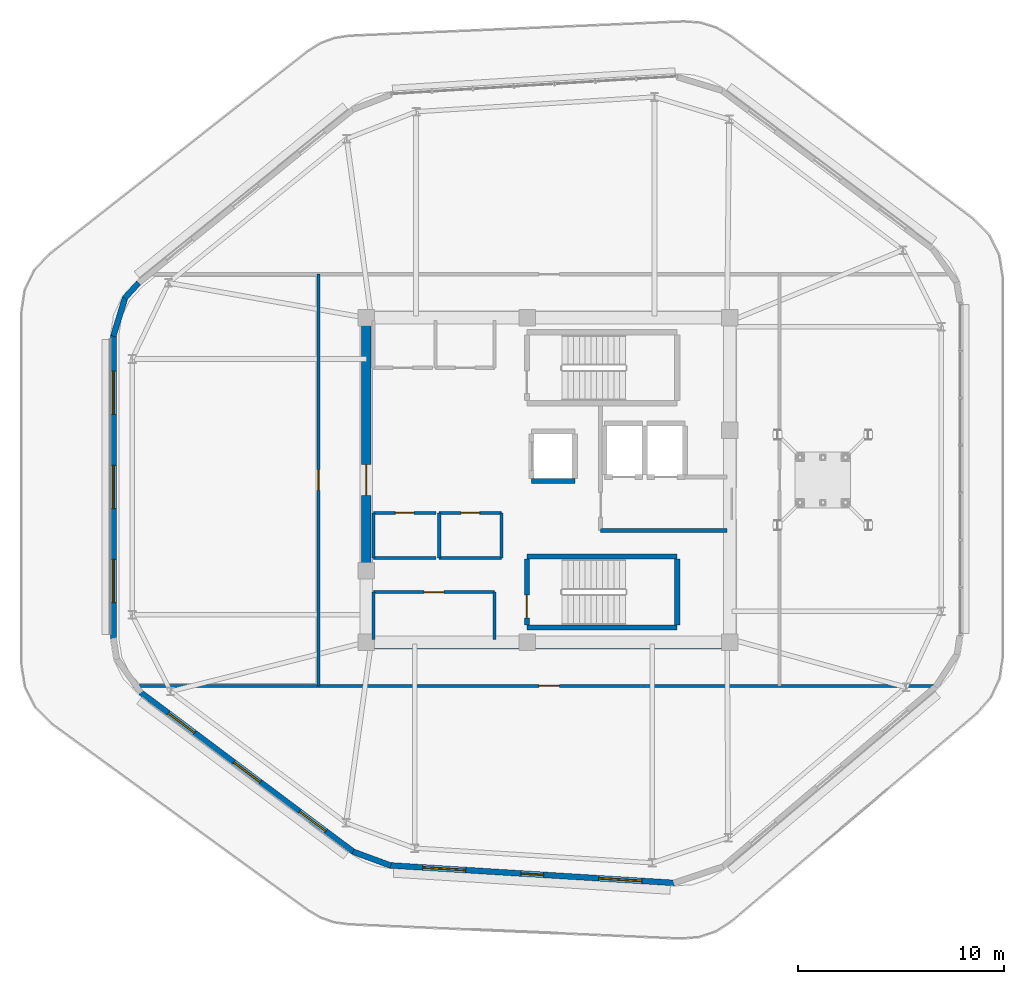
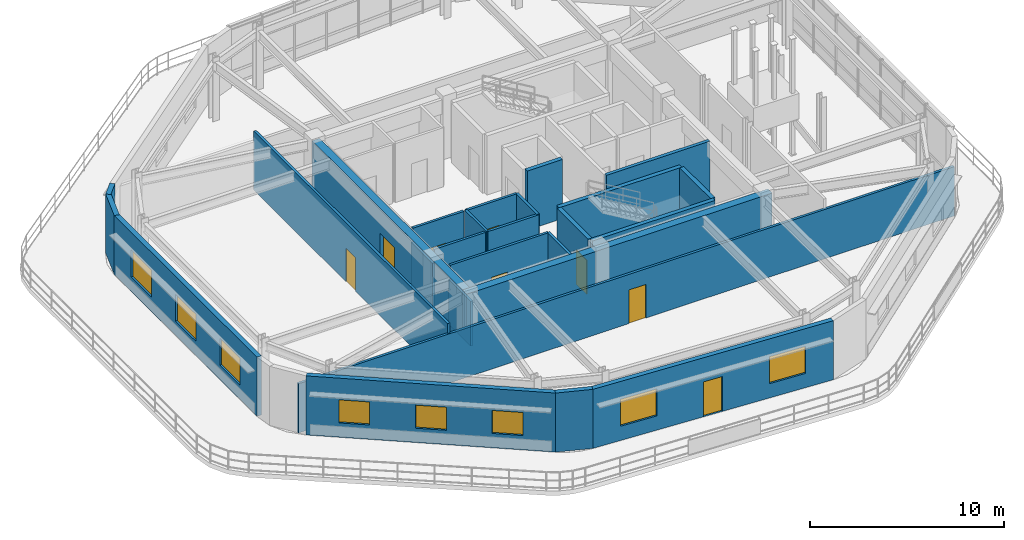
# One storey, part 8 of 13: 26 walls, 8 doors, 8 windows, 16 openings.
"""IFC4 building model written with IfcOpenShell, lengths in metres."""

from ifc_helpers import new_model, si_unit, direction, frame, frame_2d, origin, place, context, subcontext, project, spatial, rectangle, extrude, material, layer, layer_set, type_object, element, fill, save


model = new_model("IFC4")

# Units and contexts
model_context = context("Model", 3, precision=1e-05, world=origin(), true_north=direction((0.0, 1.0)))
body_context = subcontext(model_context, "Body", "Model", "MODEL_VIEW")
ifc_project = project(units=[si_unit("LENGTHUNIT", "METRE"), si_unit("AREAUNIT", "SQUARE_METRE"), si_unit("VOLUMEUNIT", "CUBIC_METRE"), si_unit("PLANEANGLEUNIT", "RADIAN"), si_unit("MASSUNIT", "GRAM", prefix="KILO")], contexts=[model_context])

# Site, building, storey
site_placement = place(None, origin())
site = spatial("IfcSite", under=ifc_project, at=site_placement, CompositionType="ELEMENT")
building_placement = place(site_placement, origin())
building = spatial("IfcBuilding", under=site, at=building_placement, Name="Zulverin Broadcast Headquarters", CompositionType="ELEMENT")
storey_placement = place(building_placement, frame((0.0, 0.0, 313.39990234375)))
storey = spatial("IfcBuildingStorey", under=building, at=storey_placement, Name="C1", CompositionType="ELEMENT", Elevation=313.39990234375)

# Wall
ifc_material_1 = material(Name="Concrete C50/60", Category="concrete")
ifc_layer_1 = layer(ifc_material_1, 0.449951171875, Name="Concrete C50/60", Category="concrete")
ifc_layer_set_1 = layer_set([ifc_layer_1], Name="Concrete C50/60")
wall_type_1 = type_object("IfcWallType", Name="WL-CORE-450", PredefinedType="SHEAR", material=ifc_layer_set_1)
wall_1_placement = place(storey_placement, frame((30.39990234375, 17.22509765625, 0.0), z_axis=(0.0, 0.0, 1.0), x_axis=(1.0, 0.0, 0.0)))
element("IfcWall", 1, at=wall_1_placement, inside=storey, type_object=wall_type_1, Name="C1 Core South Shear Wall", PredefinedType="SHEAR", context=body_context, shape_type="SweptSolid", body=[
    extrude(rectangle(XDim=18.2001953125, YDim=0.449951171875, at=frame_2d((9.10009765625, 0.0))), origin(), (0.0, 0.0, 1.0), 3.72021484375),
])

# Wall, opening, door
wall_2_placement = place(storey_placement, frame((30.625, 17.449951171875, 0.0), z_axis=(0.0, 0.0, 1.0), x_axis=(0.0, 1.0, 0.0)))
wall_2 = element("IfcWall", 2, at=wall_2_placement, inside=storey, type_object=wall_type_1, Name="C1 Core West Shear Wall", PredefinedType="SHEAR", context=body_context, shape_type="SweptSolid", body=[
    extrude(rectangle(XDim=15.5, YDim=0.449951171875, at=frame_2d((7.75, 0.0))), origin(), (0.0, 0.0, 1.0), 3.72021484375),
])
opening_1_placement = place(wall_2_placement, frame((7.0, 0.0, 0.0)))
opening_1 = element("IfcOpeningElement", 3, at=opening_1_placement, cuts=wall_2, Name="Opening D-C1-CW1", PredefinedType="OPENING", context=body_context, shape_type="SweptSolid", body=[
    extrude(rectangle(XDim=1.5, YDim=2.14990234375, at=frame_2d((0.75, 1.074951171875))), frame((0.0, 0.23486328125, 0.0), z_axis=(0.0, -1.0, 0.0), x_axis=(1.0, 0.0, 0.0)), (0.0, 0.0, 1.0), 0.469970703125),
])
ifc_material_2 = material(Name="Fire-rated glazed steel frame", Category="steel")
door_type_1 = type_object("IfcDoorType", Name="DR-COR-1500", OperationType="DOUBLE_DOOR_SINGLE_SWING", PredefinedType="DOOR", material=ifc_material_2)
door_1_placement = place(opening_1_placement, origin())
door_1 = element("IfcDoor", 4, at=door_1_placement, inside=storey, type_object=door_type_1, Name="C1 Central Lift Lobby West Portal Door", OperationType="DOUBLE_DOOR_SINGLE_SWING", OverallHeight=2.14990234375, OverallWidth=1.5, PredefinedType="DOOR", context=body_context, shape_type="SweptSolid", body=[
    extrude(rectangle(XDim=1.5, YDim=2.14990234375, at=frame_2d((0.75, 1.074951171875))), frame((0.0, 0.02490234375, 0.0), z_axis=(0.0, -1.0, 0.0), x_axis=(1.0, 0.0, 0.0)), (0.0, 0.0, 1.0), 0.050048828125),
])
fill(opening_1, door_1)

# Wall, openings, door, windows
ifc_material_3 = material(Name="Insulated pale-metal clad concrete spandrel C40/50", Category="concrete")
ifc_layer_2 = layer(ifc_material_3, 0.280029296875, Name="Insulated pale-metal clad concrete spandrel C40/50", Category="concrete")
ifc_layer_set_2 = layer_set([ifc_layer_2], Name="Insulated pale-metal clad concrete spandrel C40/50")
wall_type_2 = type_object("IfcWallType", Name="WL-EXT-280", PredefinedType="STANDARD", material=ifc_layer_set_2)
wall_3_placement = place(storey_placement, frame((31.76806640625, 6.47705078125, 0.0), z_axis=(0.0, 0.0, 1.0), x_axis=(0.998103304461, -0.061561299728, 0.0)))
wall_3 = element("IfcWall", 5, at=wall_3_placement, inside=storey, type_object=wall_type_2, Name="C1 Pale-Metal Clad Spandrel Wall 1", PredefinedType="STANDARD", context=body_context, shape_type="SweptSolid", body=[
    extrude(rectangle(XDim=13.860595703125, YDim=0.280029296875, at=frame_2d((6.93017578125, 0.0))), origin(), (0.0, 0.0, 1.0), 3.72021484375),
])
opening_2_placement = place(wall_3_placement, frame((6.38037109375, 0.0, 0.0)))
opening_2 = element("IfcOpeningElement", 6, at=opening_2_placement, cuts=wall_3, Name="Opening D-C1-TR1", PredefinedType="OPENING", context=body_context, shape_type="SweptSolid", body=[
    extrude(rectangle(XDim=1.10009765625, YDim=2.199951171875, at=frame_2d((0.550048828125, 1.10009765625))), frame((0.0, 0.14990234375, 0.0), z_axis=(0.0, -1.0, 0.0), x_axis=(1.0, 0.0, 0.0)), (0.0, 0.0, 1.0), 0.300048828125),
])
opening_3_placement = place(wall_3_placement, frame((1.593505859375, 0.0, 0.89990234375)))
opening_3 = element("IfcOpeningElement", 7, at=opening_3_placement, cuts=wall_3, Name="Opening W-C1-E11", PredefinedType="OPENING", context=body_context, shape_type="SweptSolid", body=[
    extrude(rectangle(XDim=2.10009765625, YDim=1.699951171875, at=frame_2d((1.050048828125, 0.85009765625))), frame((0.0, 0.14990234375, 0.0), z_axis=(0.0, -1.0, 0.0), x_axis=(1.0, 0.0, 0.0)), (0.0, 0.0, 1.0), 0.300048828125),
])
opening_4_placement = place(wall_3_placement, frame((10.1669921875, 0.0, 0.89990234375)))
opening_4 = element("IfcOpeningElement", 8, at=opening_4_placement, cuts=wall_3, Name="Opening W-C1-E12", PredefinedType="OPENING", context=body_context, shape_type="SweptSolid", body=[
    extrude(rectangle(XDim=2.10009765625, YDim=1.699951171875, at=frame_2d((1.050048828125, 0.85009765625))), frame((0.0, 0.14990234375, 0.0), z_axis=(0.0, -1.0, 0.0), x_axis=(1.0, 0.0, 0.0)), (0.0, 0.0, 1.0), 0.300048828125),
])
ifc_material_4 = material(Name="Thermally broken aluminium glazed", Category="aluminium")
door_type_2 = type_object("IfcDoorType", Name="DR-TERR-1100", OperationType="SINGLE_SWING_RIGHT", PredefinedType="DOOR", material=ifc_material_4)
door_2_placement = place(opening_2_placement, origin())
door_2 = element("IfcDoor", 9, at=door_2_placement, inside=storey, type_object=door_type_2, Name="C1 Planted Terrace Glazed Access Door 1", OperationType="SINGLE_SWING_RIGHT", OverallHeight=2.199951171875, OverallWidth=1.10009765625, PredefinedType="DOOR", context=body_context, shape_type="SweptSolid", body=[
    extrude(rectangle(XDim=1.10009765625, YDim=2.199951171875, at=frame_2d((0.550048828125, 1.10009765625))), frame((0.0, 0.02490234375, 0.0), z_axis=(0.0, -1.0, 0.0), x_axis=(1.0, 0.0, 0.0)), (0.0, 0.0, 1.0), 0.050048828125),
])
fill(opening_2, door_2)
ifc_material_5 = material(Name="Pale anodized aluminium frame with solar-control low-E double glazing", Category="aluminium")
window_type_1 = type_object("IfcWindowType", Name="WIN-CRN-2100", PartitioningType="SINGLE_PANEL", PredefinedType="WINDOW", material=ifc_material_5)
window_1_placement = place(opening_3_placement, origin())
window_1 = element("IfcWindow", 10, at=window_1_placement, inside=storey, type_object=window_type_1, Name="C1 Ribbon Glazing Window 1 1", OverallHeight=1.699951171875, OverallWidth=2.10009765625, PartitioningType="SINGLE_PANEL", PredefinedType="WINDOW", context=body_context, shape_type="SweptSolid", body=[
    extrude(rectangle(XDim=2.10009765625, YDim=1.699951171875, at=frame_2d((1.050048828125, 0.85009765625))), frame((0.0, 0.030029296875, 0.0), z_axis=(0.0, -1.0, 0.0), x_axis=(1.0, 0.0, 0.0)), (0.0, 0.0, 1.0), 0.06005859375),
])
fill(opening_3, window_1)
window_2_placement = place(opening_4_placement, origin())
window_2 = element("IfcWindow", 11, at=window_2_placement, inside=storey, type_object=window_type_1, Name="C1 Ribbon Glazing Window 1 2", OverallHeight=1.699951171875, OverallWidth=2.10009765625, PartitioningType="SINGLE_PANEL", PredefinedType="WINDOW", context=body_context, shape_type="SweptSolid", body=[
    extrude(rectangle(XDim=2.10009765625, YDim=1.699951171875, at=frame_2d((1.050048828125, 0.85009765625))), frame((0.0, 0.030029296875, 0.0), z_axis=(0.0, -1.0, 0.0), x_axis=(1.0, 0.0, 0.0)), (0.0, 0.0, 1.0), 0.06005859375),
])
fill(opening_4, window_2)

# Wall, openings, windows
wall_4_placement = place(storey_placement, frame((18.340087890625, 32.2255859375, 0.0), z_axis=(0.0, 0.0, 1.0), x_axis=(0.0, -1.0, 0.0)))
wall_4 = element("IfcWall", 12, at=wall_4_placement, inside=storey, type_object=wall_type_2, Name="C1 Pale-Metal Clad Spandrel Wall 7", PredefinedType="STANDARD", context=body_context, shape_type="SweptSolid", body=[
    extrude(rectangle(XDim=14.724609375, YDim=0.280029296875, at=frame_2d((7.3623046875, 0.0))), origin(), (0.0, 0.0, 1.0), 3.72021484375),
])
opening_5_placement = place(wall_4_placement, frame((1.737548828125, 0.0, 0.89990234375)))
opening_5 = element("IfcOpeningElement", 13, at=opening_5_placement, cuts=wall_4, Name="Opening W-C1-E71", PredefinedType="OPENING", context=body_context, shape_type="SweptSolid", body=[
    extrude(rectangle(XDim=2.10009765625, YDim=1.699951171875, at=frame_2d((1.050048828125, 0.85009765625))), frame((0.0, 0.14990234375, 0.0), z_axis=(0.0, -1.0, 0.0), x_axis=(1.0, 0.0, 0.0)), (0.0, 0.0, 1.0), 0.300048828125),
])
opening_6_placement = place(wall_4_placement, frame((6.3125, 0.0, 0.89990234375)))
opening_6 = element("IfcOpeningElement", 14, at=opening_6_placement, cuts=wall_4, Name="Opening W-C1-E72", PredefinedType="OPENING", context=body_context, shape_type="SweptSolid", body=[
    extrude(rectangle(XDim=2.10009765625, YDim=1.699951171875, at=frame_2d((1.050048828125, 0.85009765625))), frame((0.0, 0.14990234375, 0.0), z_axis=(0.0, -1.0, 0.0), x_axis=(1.0, 0.0, 0.0)), (0.0, 0.0, 1.0), 0.300048828125),
])
opening_7_placement = place(wall_4_placement, frame((10.88720703125, 0.0, 0.89990234375)))
opening_7 = element("IfcOpeningElement", 15, at=opening_7_placement, cuts=wall_4, Name="Opening W-C1-E73", PredefinedType="OPENING", context=body_context, shape_type="SweptSolid", body=[
    extrude(rectangle(XDim=2.10009765625, YDim=1.699951171875, at=frame_2d((1.050048828125, 0.85009765625))), frame((0.0, 0.14990234375, 0.0), z_axis=(0.0, -1.0, 0.0), x_axis=(1.0, 0.0, 0.0)), (0.0, 0.0, 1.0), 0.300048828125),
])
window_3_placement = place(opening_5_placement, origin())
window_3 = element("IfcWindow", 16, at=window_3_placement, inside=storey, type_object=window_type_1, Name="C1 Ribbon Glazing Window 7 1", OverallHeight=1.699951171875, OverallWidth=2.10009765625, PartitioningType="SINGLE_PANEL", PredefinedType="WINDOW", context=body_context, shape_type="SweptSolid", body=[
    extrude(rectangle(XDim=2.10009765625, YDim=1.699951171875, at=frame_2d((1.050048828125, 0.85009765625))), frame((0.0, 0.030029296875, 0.0), z_axis=(0.0, -1.0, 0.0), x_axis=(1.0, 0.0, 0.0)), (0.0, 0.0, 1.0), 0.06005859375),
])
fill(opening_5, window_3)
window_4_placement = place(opening_6_placement, origin())
window_4 = element("IfcWindow", 17, at=window_4_placement, inside=storey, type_object=window_type_1, Name="C1 Ribbon Glazing Window 7 2", OverallHeight=1.699951171875, OverallWidth=2.10009765625, PartitioningType="SINGLE_PANEL", PredefinedType="WINDOW", context=body_context, shape_type="SweptSolid", body=[
    extrude(rectangle(XDim=2.10009765625, YDim=1.699951171875, at=frame_2d((1.050048828125, 0.85009765625))), frame((0.0, 0.030029296875, 0.0), z_axis=(0.0, -1.0, 0.0), x_axis=(1.0, 0.0, 0.0)), (0.0, 0.0, 1.0), 0.06005859375),
])
fill(opening_6, window_4)
window_5_placement = place(opening_7_placement, origin())
window_5 = element("IfcWindow", 18, at=window_5_placement, inside=storey, type_object=window_type_1, Name="C1 Ribbon Glazing Window 7 3", OverallHeight=1.699951171875, OverallWidth=2.10009765625, PartitioningType="SINGLE_PANEL", PredefinedType="WINDOW", context=body_context, shape_type="SweptSolid", body=[
    extrude(rectangle(XDim=2.10009765625, YDim=1.699951171875, at=frame_2d((1.050048828125, 0.85009765625))), frame((0.0, 0.030029296875, 0.0), z_axis=(0.0, -1.0, 0.0), x_axis=(1.0, 0.0, 0.0)), (0.0, 0.0, 1.0), 0.06005859375),
])
fill(opening_7, window_5)

wall_5_placement = place(storey_placement, frame((19.64501953125, 14.89208984375, 0.0), z_axis=(0.0, 0.0, 1.0), x_axis=(0.800246388275, -0.599671341697, 0.0)))
wall_5 = element("IfcWall", 19, at=wall_5_placement, inside=storey, type_object=wall_type_2, Name="C1 Pale-Metal Clad Spandrel Wall 8", PredefinedType="STANDARD", context=body_context, shape_type="SweptSolid", body=[
    extrude(rectangle(XDim=12.95703125, YDim=0.280029296875, at=frame_2d((6.478515625, 0.0))), origin(), (0.0, 0.0, 1.0), 3.72021484375),
])
opening_8_placement = place(wall_5_placement, frame((1.69287109375, 0.0, 0.89990234375)))
opening_8 = element("IfcOpeningElement", 20, at=opening_8_placement, cuts=wall_5, Name="Opening W-C1-E81", PredefinedType="OPENING", context=body_context, shape_type="SweptSolid", body=[
    extrude(rectangle(XDim=1.60009765625, YDim=1.449951171875, at=frame_2d((0.800048828125, 0.72509765625))), frame((0.0, 0.14990234375, 0.0), z_axis=(0.0, -1.0, 0.0), x_axis=(1.0, 0.0, 0.0)), (0.0, 0.0, 1.0), 0.300048828125),
])
opening_9_placement = place(wall_5_placement, frame((5.678466796875, 0.0, 0.89990234375)))
opening_9 = element("IfcOpeningElement", 21, at=opening_9_placement, cuts=wall_5, Name="Opening W-C1-E82", PredefinedType="OPENING", context=body_context, shape_type="SweptSolid", body=[
    extrude(rectangle(XDim=1.60009765625, YDim=1.449951171875, at=frame_2d((0.800048828125, 0.72509765625))), frame((0.0, 0.14990234375, 0.0), z_axis=(0.0, -1.0, 0.0), x_axis=(1.0, 0.0, 0.0)), (0.0, 0.0, 1.0), 0.300048828125),
])
opening_10_placement = place(wall_5_placement, frame((9.664306640625, 0.0, 0.89990234375)))
opening_10 = element("IfcOpeningElement", 22, at=opening_10_placement, cuts=wall_5, Name="Opening W-C1-E83", PredefinedType="OPENING", context=body_context, shape_type="SweptSolid", body=[
    extrude(rectangle(XDim=1.60009765625, YDim=1.449951171875, at=frame_2d((0.800048828125, 0.72509765625))), frame((0.0, 0.14990234375, 0.0), z_axis=(0.0, -1.0, 0.0), x_axis=(1.0, 0.0, 0.0)), (0.0, 0.0, 1.0), 0.300048828125),
])
window_type_2 = type_object("IfcWindowType", Name="WIN-CRN-1600", PartitioningType="SINGLE_PANEL", PredefinedType="WINDOW", material=ifc_material_5)
window_6_placement = place(opening_8_placement, origin())
window_6 = element("IfcWindow", 23, at=window_6_placement, inside=storey, type_object=window_type_2, Name="C1 Ribbon Glazing Window 8 1", OverallHeight=1.449951171875, OverallWidth=1.60009765625, PartitioningType="SINGLE_PANEL", PredefinedType="WINDOW", context=body_context, shape_type="SweptSolid", body=[
    extrude(rectangle(XDim=1.60009765625, YDim=1.449951171875, at=frame_2d((0.800048828125, 0.72509765625))), frame((0.0, 0.030029296875, 0.0), z_axis=(0.0, -1.0, 0.0), x_axis=(1.0, 0.0, 0.0)), (0.0, 0.0, 1.0), 0.06005859375),
])
fill(opening_8, window_6)
window_7_placement = place(opening_9_placement, origin())
window_7 = element("IfcWindow", 24, at=window_7_placement, inside=storey, type_object=window_type_2, Name="C1 Ribbon Glazing Window 8 2", OverallHeight=1.449951171875, OverallWidth=1.60009765625, PartitioningType="SINGLE_PANEL", PredefinedType="WINDOW", context=body_context, shape_type="SweptSolid", body=[
    extrude(rectangle(XDim=1.60009765625, YDim=1.449951171875, at=frame_2d((0.800048828125, 0.72509765625))), frame((0.0, 0.030029296875, 0.0), z_axis=(0.0, -1.0, 0.0), x_axis=(1.0, 0.0, 0.0)), (0.0, 0.0, 1.0), 0.06005859375),
])
fill(opening_9, window_7)
window_8_placement = place(opening_10_placement, origin())
window_8 = element("IfcWindow", 25, at=window_8_placement, inside=storey, type_object=window_type_2, Name="C1 Ribbon Glazing Window 8 3", OverallHeight=1.449951171875, OverallWidth=1.60009765625, PartitioningType="SINGLE_PANEL", PredefinedType="WINDOW", context=body_context, shape_type="SweptSolid", body=[
    extrude(rectangle(XDim=1.60009765625, YDim=1.449951171875, at=frame_2d((0.800048828125, 0.72509765625))), frame((0.0, 0.030029296875, 0.0), z_axis=(0.0, -1.0, 0.0), x_axis=(1.0, 0.0, 0.0)), (0.0, 0.0, 1.0), 0.06005859375),
])
fill(opening_10, window_8)

# Walls
wall_6_placement = place(storey_placement, frame((19.564208984375, 34.77392578125, 0.0), z_axis=(0.0, 0.0, 1.0), x_axis=(-0.675845585144, -0.737043245028, 0.0)))
element("IfcWall", 26, at=wall_6_placement, inside=storey, type_object=wall_type_2, Name="C1 Wind-Shaped Corner Spandrel Wall 6-1", PredefinedType="STANDARD", context=body_context, shape_type="SweptSolid", body=[
    extrude(rectangle(XDim=1.00537109375, YDim=0.280029296875, at=frame_2d((0.502685546875, 0.0))), origin(), (0.0, 0.0, 1.0), 3.72021484375),
])
wall_7_placement = place(storey_placement, frame((18.91552734375, 34.086669921875, 0.0), z_axis=(0.0, 0.0, 1.0), x_axis=(-0.292411894515, -0.956292467787, 0.0)))
element("IfcWall", 27, at=wall_7_placement, inside=storey, type_object=wall_type_2, Name="C1 Wind-Shaped Corner Spandrel Wall 6-2", PredefinedType="STANDARD", context=body_context, shape_type="SweptSolid", body=[
    extrude(rectangle(XDim=1.98876953125, YDim=0.280029296875, at=frame_2d((0.994384765625, 0.0))), origin(), (0.0, 0.0, 1.0), 3.72021484375),
])
wall_8_placement = place(storey_placement, frame((29.978271484375, 7.1416015625, 0.0), z_axis=(0.0, 0.0, 1.0), x_axis=(0.938529029107, -0.345200320862, 0.0)))
element("IfcWall", 28, at=wall_8_placement, inside=storey, type_object=wall_type_2, Name="C1 Wind-Shaped Corner Spandrel Wall 8-1", PredefinedType="STANDARD", context=body_context, shape_type="SweptSolid", body=[
    extrude(rectangle(XDim=1.94921875, YDim=0.280029296875, at=frame_2d((0.974609375, 0.0))), origin(), (0.0, 0.0, 1.0), 3.72021484375),
])
ifc_material_6 = material(Name="Concrete C40/50", Category="concrete")
ifc_layer_3 = layer(ifc_material_6, 0.199951171875, Name="Concrete C40/50", Category="concrete")
ifc_layer_set_3 = layer_set([ifc_layer_3], Name="Concrete C40/50")
wall_type_3 = type_object("IfcWallType", Name="WL-FFL-200", PredefinedType="SOLIDWALL", material=ifc_layer_set_3)
wall_9_placement = place(storey_placement, frame((42.0, 22.75, 0.0), z_axis=(0.0, 0.0, 1.0), x_axis=(1.0, 0.0, 0.0)))
element("IfcWall", 29, at=wall_9_placement, inside=storey, type_object=wall_type_3, Name="C1 Firefighting Lift Lobby South Wall", PredefinedType="SOLIDWALL", context=body_context, shape_type="SweptSolid", body=[
    extrude(rectangle(XDim=6.14990234375, YDim=0.199951171875, at=frame_2d((3.074951171875, 0.0))), origin(), (0.0, 0.0, 1.0), 3.72021484375),
])

# Wall, opening, door
ifc_material_7 = material(Name="Fire-rated gypsum stud partition", Category="gypsum")
ifc_layer_4 = layer(ifc_material_7, 0.14990234375, Name="Fire-rated gypsum stud partition", Category="gypsum")
ifc_layer_set_4 = layer_set([ifc_layer_4], Name="Fire-rated gypsum stud partition")
wall_type_4 = type_object("IfcWallType", Name="WL-PART-150", PredefinedType="PARTITIONING", material=ifc_layer_set_4)
wall_10_placement = place(storey_placement, frame((30.969970703125, 19.75, 0.0), z_axis=(0.0, 0.0, 1.0), x_axis=(1.0, 0.0, 0.0)))
wall_10 = element("IfcWall", 30, at=wall_10_placement, inside=storey, type_object=wall_type_4, Name="C1 Core Female WC & Facilities Room Front Wall", PredefinedType="PARTITIONING", context=body_context, shape_type="SweptSolid", body=[
    extrude(rectangle(XDim=5.880126953125, YDim=0.14990234375, at=frame_2d((2.93994140625, 0.0))), origin(), (0.0, 0.0, 1.0), 3.72021484375),
])
opening_11_placement = place(wall_10_placement, frame((2.465087890625, 0.0, 0.0)))
opening_11 = element("IfcOpeningElement", 31, at=opening_11_placement, cuts=wall_10, Name="Opening D-C1-SC1", PredefinedType="OPENING", context=body_context, shape_type="SweptSolid", body=[
    extrude(rectangle(XDim=0.949951171875, YDim=2.10009765625, at=frame_2d((0.47509765625, 1.050048828125))), frame((0.0, 0.0849609375, 0.0), z_axis=(0.0, -1.0, 0.0), x_axis=(1.0, 0.0, 0.0)), (0.0, 0.0, 1.0), 0.169921875),
])
ifc_material_8 = material(Name="Fire-rated moisture-resistant laminate leaf", Category="wood")
door_type_3 = type_object("IfcDoorType", Name="DR-WC-950", OperationType="SINGLE_SWING_LEFT", PredefinedType="DOOR", material=ifc_material_8)
door_3_placement = place(opening_11_placement, origin())
door_3 = element("IfcDoor", 32, at=door_3_placement, inside=storey, type_object=door_type_3, Name="C1 Female WC & Facilities Room Door", OperationType="SINGLE_SWING_LEFT", OverallHeight=2.10009765625, OverallWidth=0.949951171875, PredefinedType="DOOR", context=body_context, shape_type="SweptSolid", body=[
    extrude(rectangle(XDim=0.949951171875, YDim=2.10009765625, at=frame_2d((0.47509765625, 1.050048828125))), frame((0.0, 0.02490234375, 0.0), z_axis=(0.0, -1.0, 0.0), x_axis=(1.0, 0.0, 0.0)), (0.0, 0.0, 1.0), 0.050048828125),
])
fill(opening_11, door_3)

# Walls
wall_11_placement = place(storey_placement, frame((30.969970703125, 17.449951171875, 0.0), z_axis=(0.0, 0.0, 1.0), x_axis=(0.0, 1.0, 0.0)))
element("IfcWall", 33, at=wall_11_placement, inside=storey, type_object=wall_type_4, Name="C1 Core Female WC & Facilities Room West Wall", PredefinedType="PARTITIONING", context=body_context, shape_type="SweptSolid", body=[
    extrude(rectangle(XDim=2.300048828125, YDim=0.14990234375, at=frame_2d((1.14990234375, 0.0))), origin(), (0.0, 0.0, 1.0), 2.820068359375),
])
wall_12_placement = place(storey_placement, frame((36.85009765625, 17.449951171875, 0.0), z_axis=(0.0, 0.0, 1.0), x_axis=(0.0, 1.0, 0.0)))
element("IfcWall", 34, at=wall_12_placement, inside=storey, type_object=wall_type_4, Name="C1 Core Female WC & Facilities Room East Wall", PredefinedType="PARTITIONING", context=body_context, shape_type="SweptSolid", body=[
    extrude(rectangle(XDim=2.300048828125, YDim=0.14990234375, at=frame_2d((1.14990234375, 0.0))), origin(), (0.0, 0.0, 1.0), 3.72021484375),
])
wall_13_placement = place(storey_placement, frame((30.969970703125, 21.39990234375, 0.0), z_axis=(0.0, 0.0, 1.0), x_axis=(1.0, 0.0, 0.0)))
element("IfcWall", 35, at=wall_13_placement, inside=storey, type_object=wall_type_4, Name="C1 Crown Mechanical Riser Room S Wall", PredefinedType="PARTITIONING", context=body_context, shape_type="SweptSolid", body=[
    extrude(rectangle(XDim=3.034912109375, YDim=0.14990234375, at=frame_2d((1.517578125, 0.0))), origin(), (0.0, 0.0, 1.0), 3.72021484375),
])

# Wall, opening, door
wall_14_placement = place(storey_placement, frame((30.969970703125, 23.60009765625, 0.0), z_axis=(0.0, 0.0, 1.0), x_axis=(1.0, 0.0, 0.0)))
wall_14 = element("IfcWall", 36, at=wall_14_placement, inside=storey, type_object=wall_type_4, Name="C1 Crown Mechanical Riser Room N Wall", PredefinedType="PARTITIONING", context=body_context, shape_type="SweptSolid", body=[
    extrude(rectangle(XDim=3.034912109375, YDim=0.14990234375, at=frame_2d((1.517578125, 0.0))), origin(), (0.0, 0.0, 1.0), 3.72021484375),
])
opening_12_placement = place(wall_14_placement, frame((1.0673828125, 0.0, 0.0)))
opening_12 = element("IfcOpeningElement", 37, at=opening_12_placement, cuts=wall_14, Name="Opening D-C1-RM1", PredefinedType="OPENING", context=body_context, shape_type="SweptSolid", body=[
    extrude(rectangle(XDim=0.89990234375, YDim=2.10009765625, at=frame_2d((0.449951171875, 1.050048828125))), frame((0.0, 0.0849609375, 0.0), z_axis=(0.0, -1.0, 0.0), x_axis=(1.0, 0.0, 0.0)), (0.0, 0.0, 1.0), 0.169921875),
])
ifc_material_9 = material(Name="Powder-coated steel access leaf", Category="steel")
door_type_4 = type_object("IfcDoorType", Name="DR-RISER-900", OperationType="SINGLE_SWING_LEFT", PredefinedType="DOOR", material=ifc_material_9)
door_4_placement = place(opening_12_placement, origin())
door_4 = element("IfcDoor", 38, at=door_4_placement, inside=storey, type_object=door_type_4, Name="C1 Crown Mechanical Riser Room Door", OperationType="SINGLE_SWING_RIGHT", OverallHeight=2.10009765625, OverallWidth=0.89990234375, PredefinedType="DOOR", context=body_context, shape_type="SweptSolid", body=[
    extrude(rectangle(XDim=0.89990234375, YDim=2.10009765625, at=frame_2d((0.449951171875, 1.050048828125))), frame((0.0, 0.02490234375, 0.0), z_axis=(0.0, -1.0, 0.0), x_axis=(1.0, 0.0, 0.0)), (0.0, 0.0, 1.0), 0.050048828125),
])
fill(opening_12, door_4)

# Walls
wall_15_placement = place(storey_placement, frame((30.969970703125, 21.39990234375, 0.0), z_axis=(0.0, 0.0, 1.0), x_axis=(0.0, 1.0, 0.0)))
element("IfcWall", 39, at=wall_15_placement, inside=storey, type_object=wall_type_4, Name="C1 Crown Mechanical Riser Room W Wall", PredefinedType="PARTITIONING", context=body_context, shape_type="SweptSolid", body=[
    extrude(rectangle(XDim=2.2001953125, YDim=0.14990234375, at=frame_2d((1.10009765625, 0.0))), origin(), (0.0, 0.0, 1.0), 2.820068359375),
])
wall_16_placement = place(storey_placement, frame((34.1650390625, 21.39990234375, 0.0), z_axis=(0.0, 0.0, 1.0), x_axis=(1.0, 0.0, 0.0)))
element("IfcWall", 40, at=wall_16_placement, inside=storey, type_object=wall_type_4, Name="C1 Crown Electrical Plant Room S Wall", PredefinedType="PARTITIONING", context=body_context, shape_type="SweptSolid", body=[
    extrude(rectangle(XDim=3.034912109375, YDim=0.14990234375, at=frame_2d((1.517578125, 0.0))), origin(), (0.0, 0.0, 1.0), 3.72021484375),
])

# Wall, opening, door
wall_17_placement = place(storey_placement, frame((34.1650390625, 23.60009765625, 0.0), z_axis=(0.0, 0.0, 1.0), x_axis=(1.0, 0.0, 0.0)))
wall_17 = element("IfcWall", 41, at=wall_17_placement, inside=storey, type_object=wall_type_4, Name="C1 Crown Electrical Plant Room N Wall", PredefinedType="PARTITIONING", context=body_context, shape_type="SweptSolid", body=[
    extrude(rectangle(XDim=3.034912109375, YDim=0.14990234375, at=frame_2d((1.517578125, 0.0))), origin(), (0.0, 0.0, 1.0), 3.72021484375),
])
opening_13_placement = place(wall_17_placement, frame((1.0673828125, 0.0, 0.0)))
opening_13 = element("IfcOpeningElement", 42, at=opening_13_placement, cuts=wall_17, Name="Opening D-C1-RM2", PredefinedType="OPENING", context=body_context, shape_type="SweptSolid", body=[
    extrude(rectangle(XDim=0.89990234375, YDim=2.10009765625, at=frame_2d((0.449951171875, 1.050048828125))), frame((0.0, 0.0849609375, 0.0), z_axis=(0.0, -1.0, 0.0), x_axis=(1.0, 0.0, 0.0)), (0.0, 0.0, 1.0), 0.169921875),
])
door_5_placement = place(opening_13_placement, origin())
door_5 = element("IfcDoor", 43, at=door_5_placement, inside=storey, type_object=door_type_4, Name="C1 Crown Electrical Plant Room Door", OperationType="SINGLE_SWING_LEFT", OverallHeight=2.10009765625, OverallWidth=0.89990234375, PredefinedType="DOOR", context=body_context, shape_type="SweptSolid", body=[
    extrude(rectangle(XDim=0.89990234375, YDim=2.10009765625, at=frame_2d((0.449951171875, 1.050048828125))), frame((0.0, 0.02490234375, 0.0), z_axis=(0.0, -1.0, 0.0), x_axis=(1.0, 0.0, 0.0)), (0.0, 0.0, 1.0), 0.050048828125),
])
fill(opening_13, door_5)

# Walls
for number, where, z_axis, x_axis, name in (
    (44, (34.1650390625, 21.39990234375, 0.0), (0.0, 0.0, 1.0), (0.0, 1.0, 0.0), "C1 Crown Electrical Plant Room W Wall"),
    (45, (37.199951171875, 21.39990234375, 0.0), (0.0, 0.0, 1.0), (0.0, 1.0, 0.0), "C1 Crown Electrical Plant Room E Wall"),
):
    element("IfcWall", number, at=place(storey_placement, frame(where, z_axis=z_axis, x_axis=x_axis)), inside=storey, type_object=wall_type_4, Name=name, PredefinedType="PARTITIONING", context=body_context, shape_type="SweptSolid", body=[
        extrude(rectangle(XDim=2.2001953125, YDim=0.14990234375, at=frame_2d((1.10009765625, 0.0))), origin(), (0.0, 0.0, 1.0), 3.72021484375),
    ])

# Wall, opening, door
wall_18_placement = place(storey_placement, frame((28.300048828125, 15.199951171875, 0.0), z_axis=(0.0, 0.0, 1.0), x_axis=(0.0, 1.0, 0.0)))
wall_18 = element("IfcWall", 46, at=wall_18_placement, inside=storey, type_object=wall_type_4, Name="C1 Gallery Partition Wall CG-02", PredefinedType="PARTITIONING", context=body_context, shape_type="SweptSolid", body=[
    extrude(rectangle(XDim=20.0, YDim=0.14990234375, at=frame_2d((10.0, 0.0))), origin(), (0.0, 0.0, 1.0), 3.72021484375),
])
opening_14_placement = place(wall_18_placement, frame((9.5, 0.0, 0.0)))
opening_14 = element("IfcOpeningElement", 47, at=opening_14_placement, cuts=wall_18, Name="Opening D-C1-CR1", PredefinedType="OPENING", context=body_context, shape_type="SweptSolid", body=[
    extrude(rectangle(XDim=1.0, YDim=2.1201171875, at=frame_2d((0.5, 1.06005859375))), frame((0.0, 0.0849609375, 0.0), z_axis=(0.0, -1.0, 0.0), x_axis=(1.0, 0.0, 0.0)), (0.0, 0.0, 1.0), 0.169921875),
])
ifc_material_10 = material(Name="Hardwood veneer acoustic leaf", Category="wood")
door_type_5 = type_object("IfcDoorType", Name="DR-OFF-1000", OperationType="SINGLE_SWING_LEFT", PredefinedType="DOOR", material=ifc_material_10)
door_6_placement = place(opening_14_placement, origin())
door_6 = element("IfcDoor", 48, at=door_6_placement, inside=storey, type_object=door_type_5, Name="C1 Crown Terrace Access Lounge Door", OperationType="SINGLE_SWING_RIGHT", OverallHeight=2.1201171875, OverallWidth=1.0, PredefinedType="DOOR", context=body_context, shape_type="SweptSolid", body=[
    extrude(rectangle(XDim=1.0, YDim=2.1201171875, at=frame_2d((0.5, 1.06005859375))), frame((0.0, 0.02490234375, 0.0), z_axis=(0.0, -1.0, 0.0), x_axis=(1.0, 0.0, 0.0)), (0.0, 0.0, 1.0), 0.050048828125),
])
fill(opening_14, door_6)

wall_19_placement = place(storey_placement, frame((19.29150390625, 15.199951171875, 0.0), z_axis=(0.0, 0.0, 1.0), x_axis=(1.0, 0.0, 0.0)))
wall_19 = element("IfcWall", 49, at=wall_19_placement, inside=storey, type_object=wall_type_4, Name="C1 Gallery Partition Wall CG-03", PredefinedType="PARTITIONING", context=body_context, shape_type="SweptSolid", body=[
    extrude(rectangle(XDim=39.07568359375, YDim=0.14990234375, at=frame_2d((19.537841796875, 0.0))), origin(), (0.0, 0.0, 1.0), 3.102783203125),
])
opening_15_placement = place(wall_19_placement, frame((19.70849609375, 0.0, 0.0)))
opening_15 = element("IfcOpeningElement", 50, at=opening_15_placement, cuts=wall_19, Name="Opening D-C1-CR4", PredefinedType="OPENING", context=body_context, shape_type="SweptSolid", body=[
    extrude(rectangle(XDim=1.0, YDim=2.1201171875, at=frame_2d((0.5, 1.06005859375))), frame((0.0, 0.0849609375, 0.0), z_axis=(0.0, -1.0, 0.0), x_axis=(1.0, 0.0, 0.0)), (0.0, 0.0, 1.0), 0.169921875),
])
door_7_placement = place(opening_15_placement, origin())
door_7 = element("IfcDoor", 51, at=door_7_placement, inside=storey, type_object=door_type_5, Name="C1 Microwave & Satellite Link Plant Room Door", OperationType="SINGLE_SWING_LEFT", OverallHeight=2.1201171875, OverallWidth=1.0, PredefinedType="DOOR", context=body_context, shape_type="SweptSolid", body=[
    extrude(rectangle(XDim=1.0, YDim=2.1201171875, at=frame_2d((0.5, 1.06005859375))), frame((0.0, 0.02490234375, 0.0), z_axis=(0.0, -1.0, 0.0), x_axis=(1.0, 0.0, 0.0)), (0.0, 0.0, 1.0), 0.050048828125),
])
fill(opening_15, door_7)

# Walls
ifc_layer_5 = layer(ifc_material_1, 0.25, Name="Concrete C50/60", Category="concrete")
ifc_layer_set_5 = layer_set([ifc_layer_5], Name="Concrete C50/60")
wall_type_5 = type_object("IfcWallType", Name="WL-SHAFT-250", PredefinedType="SHEAR", material=ifc_layer_set_5)
for number, where, z_axis, x_axis, name in (
    (52, (38.425048828125, 18.02490234375, 0.0), (0.0, 0.0, 1.0), (1.0, 0.0, 0.0), "C1 ST-2 Enclosure Wall S"),
    (53, (38.425048828125, 21.47509765625, 0.0), (0.0, 0.0, 1.0), (1.0, 0.0, 0.0), "C1 ST-2 Enclosure Wall N"),
):
    element("IfcWall", number, at=place(storey_placement, frame(where, z_axis=z_axis, x_axis=x_axis)), inside=storey, type_object=wall_type_5, Name=name, PredefinedType="SHEAR", context=body_context, shape_type="SweptSolid", body=[
        extrude(rectangle(XDim=7.300048828125, YDim=0.25, at=frame_2d((3.64990234375, 0.0))), origin(), (0.0, 0.0, 1.0), 3.72021484375),
    ])

# Wall, opening, door
wall_20_placement = place(storey_placement, frame((38.425048828125, 18.14990234375, 0.0), z_axis=(0.0, 0.0, 1.0), x_axis=(0.0, 1.0, 0.0)))
wall_20 = element("IfcWall", 54, at=wall_20_placement, inside=storey, type_object=wall_type_5, Name="C1 ST-2 Enclosure Wall W", PredefinedType="SHEAR", context=body_context, shape_type="SweptSolid", body=[
    extrude(rectangle(XDim=3.2001953125, YDim=0.25, at=frame_2d((1.60009765625, 0.0))), origin(), (0.0, 0.0, 1.0), 3.72021484375),
])
opening_16_placement = place(wall_20_placement, frame((0.35009765625, 0.0, 0.0)))
opening_16 = element("IfcOpeningElement", 55, at=opening_16_placement, cuts=wall_20, Name="Opening D-C1-ST-2", PredefinedType="OPENING", context=body_context, shape_type="SweptSolid", body=[
    extrude(rectangle(XDim=1.10009765625, YDim=2.14990234375, at=frame_2d((0.550048828125, 1.074951171875))), frame((0.0, 0.135009765625, 0.0), z_axis=(0.0, -1.0, 0.0), x_axis=(1.0, 0.0, 0.0)), (0.0, 0.0, 1.0), 0.27001953125),
])
ifc_material_11 = material(Name="Fire-rated steel leaf and frame", Category="steel")
door_type_6 = type_object("IfcDoorType", Name="DR-STAIR-1100", OperationType="SINGLE_SWING_LEFT", PredefinedType="DOOR", material=ifc_material_11)
door_8_placement = place(opening_16_placement, origin())
door_8 = element("IfcDoor", 56, at=door_8_placement, inside=storey, type_object=door_type_6, Name="C1 Exit Stair ST-2 Fire Door", OperationType="SINGLE_SWING_RIGHT", OverallHeight=2.14990234375, OverallWidth=1.10009765625, PredefinedType="DOOR", context=body_context, shape_type="SweptSolid", body=[
    extrude(rectangle(XDim=1.10009765625, YDim=2.14990234375, at=frame_2d((0.550048828125, 1.074951171875))), frame((0.0, 0.02490234375, 0.0), z_axis=(0.0, -1.0, 0.0), x_axis=(1.0, 0.0, 0.0)), (0.0, 0.0, 1.0), 0.050048828125),
])
fill(opening_16, door_8)

# Walls
wall_21_placement = place(storey_placement, frame((45.72509765625, 18.14990234375, 0.0), z_axis=(0.0, 0.0, 1.0), x_axis=(0.0, 1.0, 0.0)))
element("IfcWall", 57, at=wall_21_placement, inside=storey, type_object=wall_type_5, Name="C1 ST-2 Enclosure Wall E", PredefinedType="SHEAR", context=body_context, shape_type="SweptSolid", body=[
    extrude(rectangle(XDim=3.2001953125, YDim=0.25, at=frame_2d((1.60009765625, 0.0))), origin(), (0.0, 0.0, 1.0), 3.72021484375),
])
wall_22_placement = place(storey_placement, frame((38.64990234375, 25.14990234375, 0.0), z_axis=(0.0, 0.0, 1.0), x_axis=(1.0, 0.0, 0.0)))
element("IfcWall", 58, at=wall_22_placement, inside=storey, type_object=wall_type_5, Name="C1 Lift SVL-1 Shaft Wall S", PredefinedType="SHEAR", context=body_context, shape_type="SweptSolid", body=[
    extrude(rectangle(XDim=2.10009765625, YDim=0.25, at=frame_2d((1.050048828125, 0.0))), origin(), (0.0, 0.0, 1.0), 3.72021484375),
])

save(model, "model.ifc")
